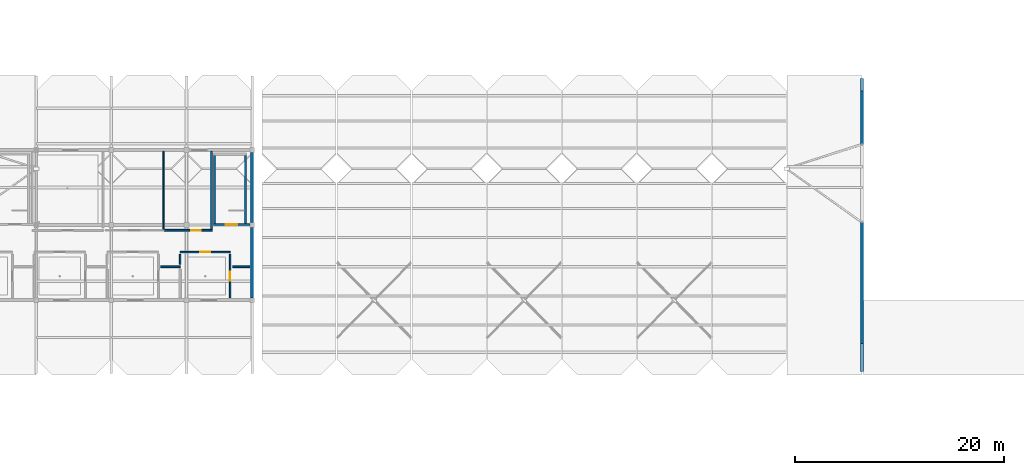
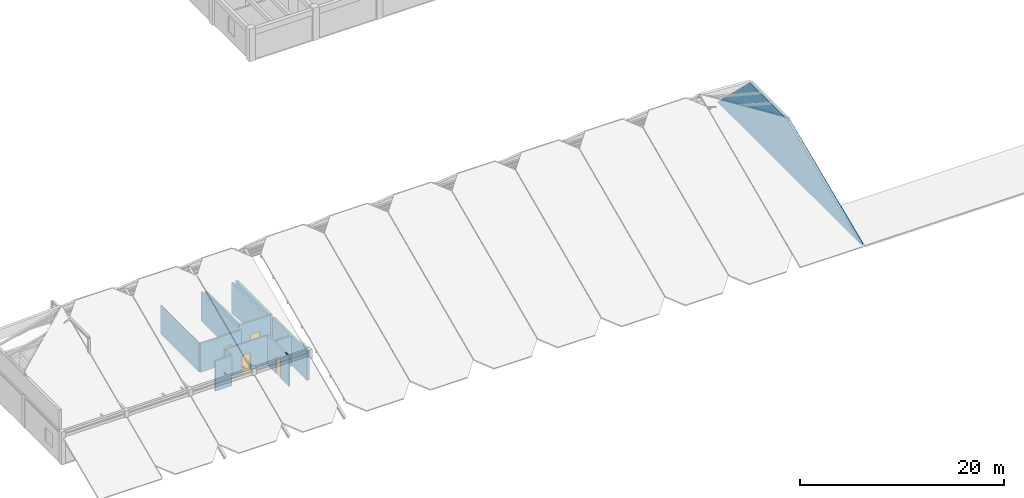
# One storey, part 39 of 54: 14 walls, 4 doors, 4 openings.
"""IFC4 building model written with IfcOpenShell, lengths in metres."""

from ifc_helpers import new_model, si_unit, direction, frame, frame_2d, origin, place, context, subcontext, project, spatial, polyline, rectangle, outline, extrude, material, layer, layer_set, type_object, element, fill, save


model = new_model("IFC4")

# Units and contexts
model_context = context("Model", 3, precision=1e-05, world=origin(), true_north=direction((0.0, 1.0)))
body_context = subcontext(model_context, "Body", "Model", "MODEL_VIEW")
ifc_project = project(units=[si_unit("LENGTHUNIT", "METRE"), si_unit("AREAUNIT", "SQUARE_METRE"), si_unit("VOLUMEUNIT", "CUBIC_METRE"), si_unit("PLANEANGLEUNIT", "RADIAN"), si_unit("MASSUNIT", "GRAM", prefix="KILO")], contexts=[model_context])

# Site, building, storey
site_placement = place(None, origin())
site = spatial("IfcSite", under=ifc_project, at=site_placement, CompositionType="ELEMENT")
building_placement = place(site_placement, origin())
building = spatial("IfcBuilding", under=site, at=building_placement, Name="Koriwan Promenade Central Fire Station", CompositionType="ELEMENT")
storey_placement = place(building_placement, frame((0.0, 0.0, 9.60009765625)))
storey = spatial("IfcBuildingStorey", under=building, at=storey_placement, Name="L02", CompositionType="ELEMENT", Elevation=9.60009765625)

# Walls
ifc_material_1 = material(Name="Precast concrete C40/50", Category="concrete")
ifc_layer_1 = layer(ifc_material_1, 0.280029296875, Name="Precast concrete C40/50")
ifc_layer_set_1 = layer_set([ifc_layer_1], Name="Precast concrete C40/50")
wall_type_1 = type_object("IfcWallType", Name="ExtWall_Terracotta_280", PredefinedType="ELEMENTEDWALL", material=ifc_layer_set_1)
for number, where, z_axis, x_axis, name in (
    (1, (56.699951171875, 50.625, 0.0), (0.0, 0.0, 1.0), (0.0, 1.0, 0.0), "V4 L02 exterior wall 193"),
    (2, (56.699951171875, 57.824951171875, 0.0), (0.0, 0.0, 1.0), (0.0, 1.0, 0.0), "V4 L02 exterior wall 194"),
):
    element("IfcWall", number, at=place(storey_placement, frame(where, z_axis=z_axis, x_axis=x_axis)), inside=storey, type_object=wall_type_1, Name=name, PredefinedType="ELEMENTEDWALL", context=body_context, shape_type="SweptSolid", body=[
        extrude(rectangle(XDim=6.75, YDim=0.280029296875, at=frame_2d((3.375, 0.0))), origin(), (0.0, 0.0, 1.0), 3.472900390625),
    ])
wall_1_placement = place(storey_placement, frame((115.199951171875, 43.550048828125, 0.0498046875), z_axis=(0.0, 0.0, 1.0), x_axis=(0.0, 1.0, 0.0)))
element("IfcWall", 3, at=wall_1_placement, inside=storey, type_object=wall_type_1, Name="V1 east chamfered gable terracotta wall", PredefinedType="ELEMENTEDWALL", context=body_context, shape_type="SweptSolid", body=[
    extrude(outline(polyline([(0.0, 0.0), (28.099853515625, 0.0), (28.10009765625, 0.0), (21.771728515625, 6.1298828125), (14.342041015625, 6.1298828125), (0.0, 0.0), (0.0, 0.0)])), frame((0.0, 0.14013671875, 0.0), z_axis=(0.0, -1.0, 0.0), x_axis=(1.0, 0.0, 0.0)), (0.0, 0.0, 1.0), 0.280029296875),
])
ifc_material_2 = material(Name="Gypsum board acoustic stud partition", Category="gypsum")
ifc_layer_2 = layer(ifc_material_2, 0.10009765625, Name="Gypsum board acoustic stud partition")
ifc_layer_set_2 = layer_set([ifc_layer_2], Name="Gypsum board acoustic stud partition")
wall_type_2 = type_object("IfcWallType", Name="IntWall_Drywall_100", PredefinedType="PARTITIONING", material=ifc_layer_set_2)
wall_2_placement = place(storey_placement, frame((48.199951171875, 57.152099609375, 0.0), z_axis=(0.0, 0.0, 1.0), x_axis=(0.0, 1.0, 0.0)))
element("IfcWall", 4, at=wall_2_placement, inside=storey, type_object=wall_type_2, Name="Crew Quiet Study and Training Library partition E", PredefinedType="PARTITIONING", context=body_context, shape_type="SweptSolid", body=[
    extrude(rectangle(XDim=7.505859375, YDim=0.10009765625, at=frame_2d((3.7529296875, 0.0))), origin(), (0.0, 0.0, 1.0), 3.472900390625),
])
ifc_material_3 = material(Name="Moisture-resistant sanitary chase wall", Category="gypsum")
ifc_layer_3 = layer(ifc_material_3, 0.179931640625, Name="Moisture-resistant sanitary chase wall")
ifc_layer_set_3 = layer_set([ifc_layer_3], Name="Moisture-resistant sanitary chase wall")
wall_type_3 = type_object("IfcWallType", Name="IntWall_Plumbing_180", PredefinedType="PLUMBINGWALL", material=ifc_layer_set_3)
wall_3_placement = place(storey_placement, frame((47.919921875, 53.60009765625, 0.0), z_axis=(0.0, 0.0, 1.0), x_axis=(1.0, 0.0, 0.0)))
element("IfcWall", 5, at=wall_3_placement, inside=storey, type_object=wall_type_3, Name="En-Suite Bathroom A3 partition N", PredefinedType="PLUMBINGWALL", context=body_context, shape_type="SweptSolid", body=[
    extrude(rectangle(XDim=1.880126953125, YDim=0.179931640625, at=frame_2d((0.93994140625, 0.0))), origin(), (0.0, 0.0, 1.0), 3.619873046875),
])
wall_4_placement = place(storey_placement, frame((54.820068359375, 53.60009765625, 0.0), z_axis=(0.0, 0.0, 1.0), x_axis=(1.0, 0.0, 0.0)))
element("IfcWall", 6, at=wall_4_placement, inside=storey, type_object=wall_type_3, Name="En-Suite Bathroom A4 partition N", PredefinedType="PLUMBINGWALL", context=body_context, shape_type="SweptSolid", body=[
    extrude(rectangle(XDim=1.659912109375, YDim=0.179931640625, at=frame_2d((0.830078125, 0.0))), origin(), (0.0, 0.0, 1.0), 3.619873046875),
])

# Wall, opening, door
wall_5_placement = place(storey_placement, frame((48.251953125, 57.10009765625, 0.0), z_axis=(0.0, 0.0, 1.0), x_axis=(1.0, 0.0, 0.0)))
wall_5 = element("IfcWall", 7, at=wall_5_placement, inside=storey, type_object=wall_type_3, Name="Dormitory Floor Accessible WC partition S", PredefinedType="PLUMBINGWALL", context=body_context, shape_type="SweptSolid", body=[
    extrude(rectangle(XDim=4.637939453125, YDim=0.179931640625, at=frame_2d((2.31884765625, 0.0))), origin(), (0.0, 0.0, 1.0), 3.470947265625),
])
opening_1_placement = place(wall_5_placement, frame((2.618896484375, 0.0, 0.0)))
opening_1 = element("IfcOpeningElement", 8, at=opening_1_placement, cuts=wall_5, Name="Opening D-111", PredefinedType="OPENING", context=body_context, shape_type="SweptSolid", body=[
    extrude(rectangle(XDim=0.89990234375, YDim=2.10009765625, at=frame_2d((0.449951171875, 1.050048828125))), frame((0.0, 0.10205078125, 0.0), z_axis=(0.0, -1.0, 0.0), x_axis=(1.0, 0.0, 0.0)), (0.0, 0.0, 1.0), 0.203857421875),
])
ifc_material_4 = material(Name="High-pressure laminate moisture-resistant core", Category="wood")
door_type_1 = type_object("IfcDoorType", Name="RoomDoor_WC_900x2100", OperationType="NOTDEFINED", PredefinedType="DOOR", material=ifc_material_4)
door_1_placement = place(opening_1_placement, origin())
door_1 = element("IfcDoor", 9, at=door_1_placement, inside=storey, type_object=door_type_1, Name="Dormitory Floor Accessible WC Door D-111", OperationType="SINGLE_SWING_RIGHT", OverallHeight=2.10009765625, OverallWidth=0.89990234375, PredefinedType="DOOR", context=body_context, shape_type="SweptSolid", body=[
    extrude(rectangle(XDim=0.89990234375, YDim=2.10009765625, at=frame_2d((0.449951171875, 1.050048828125))), frame((0.0, 0.02490234375, 0.0), z_axis=(0.0, -1.0, 0.0), x_axis=(1.0, 0.0, 0.0)), (0.0, 0.0, 1.0), 0.050048828125),
])
fill(opening_1, door_1)

# Wall
wall_6_placement = place(storey_placement, frame((52.800048828125, 57.19189453125, 0.0), z_axis=(0.0, 0.0, 1.0), x_axis=(0.0, 1.0, 0.0)))
element("IfcWall", 10, at=wall_6_placement, inside=storey, type_object=wall_type_3, Name="Dormitory Floor Accessible WC partition E", PredefinedType="PLUMBINGWALL", context=body_context, shape_type="SweptSolid", body=[
    extrude(rectangle(XDim=7.466064453125, YDim=0.179931640625, at=frame_2d((3.73291015625, 0.0))), origin(), (0.0, 0.0, 1.0), 3.472900390625),
])

# Wall, opening, door
ifc_material_5 = material(Name="Fire-rated double gypsum stud partition", Category="gypsum")
ifc_layer_4 = layer(ifc_material_5, 0.139892578125, Name="Fire-rated double gypsum stud partition")
ifc_layer_set_4 = layer_set([ifc_layer_4], Name="Fire-rated double gypsum stud partition")
wall_type_4 = type_object("IfcWallType", Name="IntWall_Rated_140", PredefinedType="PARTITIONING", material=ifc_layer_set_4)
wall_7_placement = place(storey_placement, frame((49.800048828125, 55.0, 0.0), z_axis=(0.0, 0.0, 1.0), x_axis=(1.0, 0.0, 0.0)))
wall_7 = element("IfcWall", 11, at=wall_7_placement, inside=storey, type_object=wall_type_4, Name="Crew Dormitory Suite A4 partition N", PredefinedType="PARTITIONING", context=body_context, shape_type="SweptSolid", body=[
    extrude(rectangle(XDim=4.800048828125, YDim=0.139892578125, at=frame_2d((2.39990234375, 0.0))), origin(), (0.0, 0.0, 1.0), 3.470947265625),
])
opening_2_placement = place(wall_7_placement, frame((1.925048828125, 0.0, 0.0)))
opening_2 = element("IfcOpeningElement", 12, at=opening_2_placement, cuts=wall_7, Name="Opening D-107", PredefinedType="OPENING", context=body_context, shape_type="SweptSolid", body=[
    extrude(rectangle(XDim=0.949951171875, YDim=2.10009765625, at=frame_2d((0.47509765625, 1.050048828125))), frame((0.0, 0.08203125, 0.0), z_axis=(0.0, -1.0, 0.0), x_axis=(1.0, 0.0, 0.0)), (0.0, 0.0, 1.0), 0.163818359375),
])
ifc_material_6 = material(Name="Hardwood veneer solid-core timber", Category="wood")
door_type_2 = type_object("IfcDoorType", Name="RoomDoor_Dorm_950x2100", OperationType="NOTDEFINED", PredefinedType="DOOR", material=ifc_material_6)
door_2_placement = place(opening_2_placement, origin())
door_2 = element("IfcDoor", 13, at=door_2_placement, inside=storey, type_object=door_type_2, Name="Crew Dormitory Suite A4 Door D-107", OperationType="SINGLE_SWING_RIGHT", OverallHeight=2.10009765625, OverallWidth=0.949951171875, PredefinedType="DOOR", context=body_context, shape_type="SweptSolid", body=[
    extrude(rectangle(XDim=0.949951171875, YDim=2.10009765625, at=frame_2d((0.47509765625, 1.050048828125))), frame((0.0, 0.02490234375, 0.0), z_axis=(0.0, -1.0, 0.0), x_axis=(1.0, 0.0, 0.0)), (0.0, 0.0, 1.0), 0.050048828125),
])
fill(opening_2, door_2)

wall_8_placement = place(storey_placement, frame((54.60009765625, 50.6201171875, 0.0), z_axis=(0.0, 0.0, 1.0), x_axis=(0.0, 1.0, 0.0)))
wall_8 = element("IfcWall", 14, at=wall_8_placement, inside=storey, type_object=wall_type_4, Name="Crew Dormitory Suite A4 partition E", PredefinedType="PARTITIONING", context=body_context, shape_type="SweptSolid", body=[
    extrude(rectangle(XDim=4.159912109375, YDim=0.139892578125, at=frame_2d((2.080078125, 0.0))), origin(), (0.0, 0.0, 1.0), 3.619873046875),
])
opening_3_placement = place(wall_8_placement, frame((1.639892578125, 0.0, 0.0)))
opening_3 = element("IfcOpeningElement", 15, at=opening_3_placement, cuts=wall_8, Name="Opening D-108", PredefinedType="OPENING", context=body_context, shape_type="SweptSolid", body=[
    extrude(rectangle(XDim=0.8798828125, YDim=2.080078125, at=frame_2d((0.43994140625, 1.0400390625))), frame((0.0, 0.08203125, 0.0), z_axis=(0.0, -1.0, 0.0), x_axis=(1.0, 0.0, 0.0)), (0.0, 0.0, 1.0), 0.163818359375),
])
door_type_3 = type_object("IfcDoorType", Name="RoomDoor_Ensuite_880x2080", OperationType="NOTDEFINED", PredefinedType="DOOR", material=ifc_material_4)
door_3_placement = place(opening_3_placement, origin())
door_3 = element("IfcDoor", 16, at=door_3_placement, inside=storey, type_object=door_type_3, Name="En-Suite Bathroom A4 Door D-108", OperationType="SINGLE_SWING_LEFT", OverallHeight=2.080078125, OverallWidth=0.8798828125, PredefinedType="DOOR", context=body_context, shape_type="SweptSolid", body=[
    extrude(rectangle(XDim=0.8798828125, YDim=2.080078125, at=frame_2d((0.43994140625, 1.0400390625))), frame((0.0, 0.02490234375, 0.0), z_axis=(0.0, -1.0, 0.0), x_axis=(1.0, 0.0, 0.0)), (0.0, 0.0, 1.0), 0.050048828125),
])
fill(opening_3, door_3)

# Wall
wall_9_placement = place(storey_placement, frame((49.800048828125, 53.820068359375, 0.0), z_axis=(0.0, 0.0, 1.0), x_axis=(0.0, 1.0, 0.0)))
element("IfcWall", 17, at=wall_9_placement, inside=storey, type_object=wall_type_4, Name="Crew Dormitory Suite A4 partition W", PredefinedType="PARTITIONING", context=body_context, shape_type="SweptSolid", body=[
    extrude(rectangle(XDim=0.9599609375, YDim=0.139892578125, at=frame_2d((0.47998046875, 0.0))), origin(), (0.0, 0.0, 1.0), 3.619873046875),
])

# Wall, opening, door
ifc_material_7 = material(Name="Concrete C40/50", Category="concrete")
ifc_layer_5 = layer(ifc_material_7, 0.199951171875, Name="Concrete C40/50")
ifc_layer_set_5 = layer_set([ifc_layer_5], Name="Concrete C40/50")
wall_type_5 = type_object("IfcWallType", Name="ShearWall_200", PredefinedType="SHEAR", material=ifc_layer_set_5)
wall_10_placement = place(storey_placement, frame((52.97998046875, 57.64990234375, 0.0), z_axis=(0.0, 0.0, 1.0), x_axis=(1.0, 0.0, 0.0)))
wall_10 = element("IfcWall", 18, at=wall_10_placement, inside=storey, type_object=wall_type_5, Name="ST20 L02 structural stair wall S", PredefinedType="SHEAR", context=body_context, shape_type="SweptSolid", body=[
    extrude(rectangle(XDim=3.4951171875, YDim=0.199951171875, at=frame_2d((1.74755859375, 0.0))), origin(), (0.0, 0.0, 1.0), 3.64990234375),
])
opening_4_placement = place(wall_10_placement, frame((1.197509765625, 0.0, 0.0)))
opening_4 = element("IfcOpeningElement", 19, at=opening_4_placement, cuts=wall_10, Name="Opening SD-031", PredefinedType="OPENING", context=body_context, shape_type="SweptSolid", body=[
    extrude(rectangle(XDim=1.10009765625, YDim=2.14990234375, at=frame_2d((0.550048828125, 1.074951171875))), frame((0.0, 0.11181640625, 0.0), z_axis=(0.0, -1.0, 0.0), x_axis=(1.0, 0.0, 0.0)), (0.0, 0.0, 1.0), 0.223876953125),
])
ifc_material_8 = material(Name="Painted galvanized fire-door steel", Category="steel")
door_type_4 = type_object("IfcDoorType", Name="FireDoor_Stair_1100x2150", OperationType="NOTDEFINED", PredefinedType="DOOR", material=ifc_material_8)
door_4_placement = place(opening_4_placement, origin())
door_4 = element("IfcDoor", 20, at=door_4_placement, inside=storey, type_object=door_type_4, Name="Protected Stair ST20 Fire Door SD-031", OperationType="SINGLE_SWING_RIGHT", OverallHeight=2.14990234375, OverallWidth=1.10009765625, PredefinedType="DOOR", context=body_context, shape_type="SweptSolid", body=[
    extrude(rectangle(XDim=1.10009765625, YDim=2.14990234375, at=frame_2d((0.550048828125, 1.074951171875))), frame((0.0, 0.02490234375, 0.0), z_axis=(0.0, -1.0, 0.0), x_axis=(1.0, 0.0, 0.0)), (0.0, 0.0, 1.0), 0.050048828125),
])
fill(opening_4, door_4)

# Walls
for number, where, z_axis, x_axis, name in (
    (21, (53.080078125, 57.75, 0.0), (0.0, 0.0, 1.0), (0.0, 1.0, 0.0), "ST20 L02 structural stair wall W"),
    (22, (56.050048828125, 57.75, 0.0), (0.0, 0.0, 1.0), (0.0, 1.0, 0.0), "ST20 L02 structural stair wall E"),
):
    element("IfcWall", number, at=place(storey_placement, frame(where, z_axis=z_axis, x_axis=x_axis)), inside=storey, type_object=wall_type_5, Name=name, PredefinedType="SHEAR", context=body_context, shape_type="SweptSolid", body=[
        extrude(rectangle(XDim=6.5400390625, YDim=0.199951171875, at=frame_2d((3.27001953125, 0.0))), origin(), (0.0, 0.0, 1.0), 3.64990234375),
    ])

save(model, "model.ifc")
